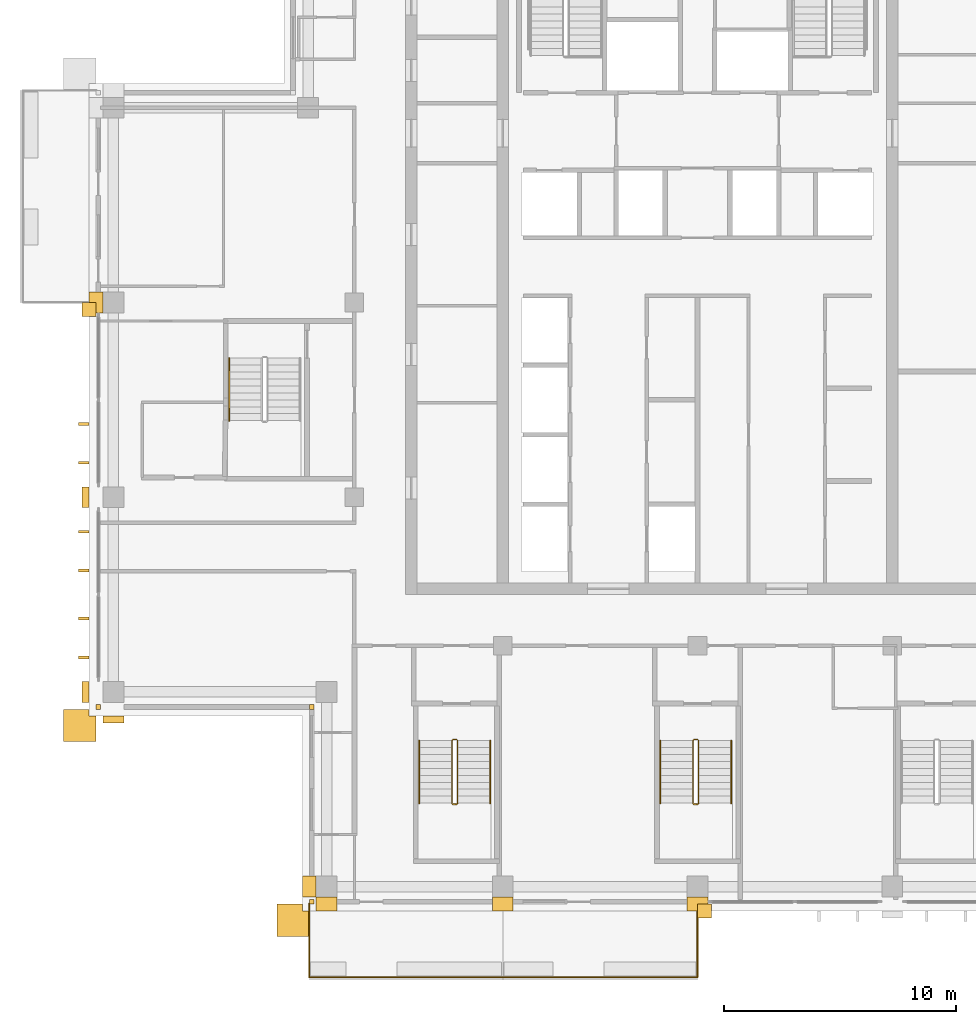
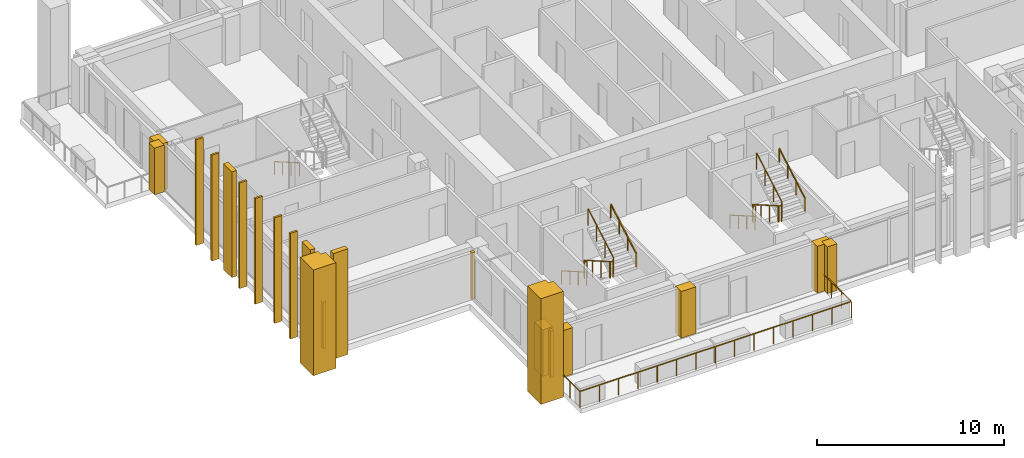
# One storey, part 13 of 16: 21 coverings, 9 railings.
"""IFC4 building model written with IfcOpenShell, lengths in metres."""

from ifc_helpers import new_model, si_unit, direction, frame, origin, origin_2d, place, context, subcontext, project, spatial, polyline, rectangle, outline, extrude, material, layer, layer_set, type_object, element, save


model = new_model("IFC4")

# Units and contexts
model_context = context("Model", 3, precision=1e-05, world=origin(), true_north=direction((0.0, 1.0)))
body_context = subcontext(model_context, "Body", "Model", "MODEL_VIEW")
ifc_project = project(units=[si_unit("LENGTHUNIT", "METRE"), si_unit("AREAUNIT", "SQUARE_METRE"), si_unit("VOLUMEUNIT", "CUBIC_METRE"), si_unit("PLANEANGLEUNIT", "RADIAN"), si_unit("MASSUNIT", "GRAM", prefix="KILO")], contexts=[model_context])

# Site, building, storey
site_placement = place(None, origin())
site = spatial("IfcSite", under=ifc_project, at=site_placement, CompositionType="ELEMENT")
building_placement = place(site_placement, origin())
building = spatial("IfcBuilding", under=site, at=building_placement, Name="Vermilion Ogive Tower", CompositionType="ELEMENT")
storey_placement = place(building_placement, frame((0.0, 0.0, 233.800048828125)))
storey = spatial("IfcBuildingStorey", under=building, at=storey_placement, Name="L61", CompositionType="ELEMENT", Elevation=233.800048828125)

# Railings
ifc_material_1 = material(Name="Stainless steel and glass", Category="steel")
railing_type_1 = type_object("IfcRailingType", Name="Balcony guard", PredefinedType="GUARDRAIL", material=ifc_material_1)
railing_1_placement = place(storey_placement, frame((-16.75, -21.75, -0.0400390625)))
element("IfcRailing", 1, at=railing_1_placement, inside=storey, type_object=railing_type_1, Name="Guard S01", PredefinedType="GUARDRAIL", context=body_context, shape_type="SweptSolid", body=[
    extrude(rectangle(XDim=0.048095703125, YDim=0.048095703125, at=origin_2d()), frame((0.0, 0.0, 1.076171875), z_axis=(0.0, -1.0, 0.0), x_axis=(1.0, 0.0, 0.0)), (0.0, 0.0, 1.0), 3.159912109375),
    extrude(rectangle(XDim=0.048095703125, YDim=0.048095703125, at=origin_2d()), frame((0.0, -3.159912109375, 1.076171875), z_axis=(1.0, 0.0, 0.0), x_axis=(0.0, 1.0, 0.0)), (0.0, 0.0, 1.0), 8.35009765625),
    extrude(rectangle(XDim=0.0419921875, YDim=0.0419921875, at=origin_2d()), origin(), (0.0, 0.0, 1.0), 1.052001953125),
    extrude(rectangle(XDim=0.0419921875, YDim=0.0419921875, at=origin_2d()), frame((0.0, -1.05322265625, 0.0)), (0.0, 0.0, 1.0), 1.052001953125),
    extrude(rectangle(XDim=0.0419921875, YDim=0.0419921875, at=origin_2d()), frame((0.0, -2.106689453125, 0.0)), (0.0, 0.0, 1.0), 1.052001953125),
    extrude(rectangle(XDim=0.0419921875, YDim=0.0419921875, at=origin_2d()), frame((0.0, -3.159912109375, 0.0)), (0.0, 0.0, 1.0), 1.052001953125),
    extrude(rectangle(XDim=0.0419921875, YDim=0.0419921875, at=origin_2d()), frame((1.19287109375, -3.159912109375, 0.0)), (0.0, 0.0, 1.0), 1.052001953125),
    extrude(rectangle(XDim=0.0419921875, YDim=0.0419921875, at=origin_2d()), frame((2.3857421875, -3.159912109375, 0.0)), (0.0, 0.0, 1.0), 1.052001953125),
    extrude(rectangle(XDim=0.0419921875, YDim=0.0419921875, at=origin_2d()), frame((3.57861328125, -3.159912109375, 0.0)), (0.0, 0.0, 1.0), 1.052001953125),
    extrude(rectangle(XDim=0.0419921875, YDim=0.0419921875, at=origin_2d()), frame((4.771484375, -3.159912109375, 0.0)), (0.0, 0.0, 1.0), 1.052001953125),
    extrude(rectangle(XDim=0.0419921875, YDim=0.0419921875, at=origin_2d()), frame((5.96435546875, -3.159912109375, 0.0)), (0.0, 0.0, 1.0), 1.052001953125),
    extrude(rectangle(XDim=0.0419921875, YDim=0.0419921875, at=origin_2d()), frame((7.1572265625, -3.159912109375, 0.0)), (0.0, 0.0, 1.0), 1.052001953125),
    extrude(rectangle(XDim=0.0419921875, YDim=0.0419921875, at=origin_2d()), frame((8.35009765625, -3.159912109375, 0.0)), (0.0, 0.0, 1.0), 1.052001953125),
])
railing_2_placement = place(storey_placement, frame((-8.39990234375, -24.909912109375, -0.0400390625)))
element("IfcRailing", 2, at=railing_2_placement, inside=storey, type_object=railing_type_1, Name="Guard S02", PredefinedType="GUARDRAIL", context=body_context, shape_type="SweptSolid", body=[
    extrude(rectangle(XDim=0.048095703125, YDim=0.048095703125, at=origin_2d()), frame((0.0, 0.0, 1.076171875), z_axis=(1.0, 0.0, 0.0), x_axis=(0.0, 1.0, 0.0)), (0.0, 0.0, 1.0), 8.39990234375),
    extrude(rectangle(XDim=0.048095703125, YDim=0.048095703125, at=origin_2d()), frame((8.39990234375, 0.0, 1.076171875), z_axis=(0.0, 1.0, 0.0), x_axis=(-1.0, 0.0, 0.0)), (0.0, 0.0, 1.0), 3.159912109375),
    extrude(rectangle(XDim=0.0419921875, YDim=0.0419921875, at=origin_2d()), origin(), (0.0, 0.0, 1.0), 1.052001953125),
    extrude(rectangle(XDim=0.0419921875, YDim=0.0419921875, at=origin_2d()), frame((1.199951171875, 0.0, 0.0)), (0.0, 0.0, 1.0), 1.052001953125),
    extrude(rectangle(XDim=0.0419921875, YDim=0.0419921875, at=origin_2d()), frame((2.39990234375, 0.0, 0.0)), (0.0, 0.0, 1.0), 1.052001953125),
    extrude(rectangle(XDim=0.0419921875, YDim=0.0419921875, at=origin_2d()), frame((3.599853515625, 0.0, 0.0)), (0.0, 0.0, 1.0), 1.052001953125),
    extrude(rectangle(XDim=0.0419921875, YDim=0.0419921875, at=origin_2d()), frame((4.800048828125, 0.0, 0.0)), (0.0, 0.0, 1.0), 1.052001953125),
    extrude(rectangle(XDim=0.0419921875, YDim=0.0419921875, at=origin_2d()), frame((6.0, 0.0, 0.0)), (0.0, 0.0, 1.0), 1.052001953125),
    extrude(rectangle(XDim=0.0419921875, YDim=0.0419921875, at=origin_2d()), frame((7.199951171875, 0.0, 0.0)), (0.0, 0.0, 1.0), 1.052001953125),
    extrude(rectangle(XDim=0.0419921875, YDim=0.0419921875, at=origin_2d()), frame((8.39990234375, 0.0, 0.0)), (0.0, 0.0, 1.0), 1.052001953125),
    extrude(rectangle(XDim=0.0419921875, YDim=0.0419921875, at=origin_2d()), frame((8.39990234375, 1.05322265625, 0.0)), (0.0, 0.0, 1.0), 1.052001953125),
    extrude(rectangle(XDim=0.0419921875, YDim=0.0419921875, at=origin_2d()), frame((8.39990234375, 2.106689453125, 0.0)), (0.0, 0.0, 1.0), 1.052001953125),
    extrude(rectangle(XDim=0.0419921875, YDim=0.0419921875, at=origin_2d()), frame((8.39990234375, 3.159912109375, 0.0)), (0.0, 0.0, 1.0), 1.052001953125),
])

# Coverings
ifc_material_2 = material(Name="Glazed ceramic screen")
ifc_layer = layer(ifc_material_2, 0.14990234375)
ifc_layer_set = layer_set([ifc_layer], Name="Ceramic solar screen fin")
covering_type_1 = type_object("IfcCoveringType", Name="Ceramic solar screen fin", PredefinedType="CLADDING", material=ifc_layer_set)
covering_1_placement = place(storey_placement, frame((0.0, 0.0, -0.400146484375)))
element("IfcCovering", 3, at=covering_1_placement, inside=storey, type_object=covering_type_1, Name="Solar screen blade W991", PredefinedType="CLADDING", context=body_context, shape_type="SweptSolid", body=[
    extrude(outline(polyline([(-26.699951171875, -0.9775390625), (-26.699951171875, -1.097412109375), (-26.25, -1.097412109375), (-26.25, -0.9775390625), (-26.699951171875, -0.9775390625)])), origin(), (0.0, 0.0, 1.0), 6.900146484375),
])
covering_2_placement = place(storey_placement, frame((0.0, 0.0, -0.400146484375)))
element("IfcCovering", 4, at=covering_2_placement, inside=storey, type_object=covering_type_1, Name="Solar screen blade W992", PredefinedType="CLADDING", context=body_context, shape_type="SweptSolid", body=[
    extrude(outline(polyline([(-26.699951171875, -2.652587890625), (-26.699951171875, -2.7724609375), (-26.25, -2.7724609375), (-26.25, -2.652587890625), (-26.699951171875, -2.652587890625)])), origin(), (0.0, 0.0, 1.0), 6.900146484375),
])
covering_3_placement = place(storey_placement, frame((0.0, 0.0, -0.400146484375)))
element("IfcCovering", 5, at=covering_3_placement, inside=storey, type_object=covering_type_1, Name="Solar screen blade W971", PredefinedType="CLADDING", context=body_context, shape_type="SweptSolid", body=[
    extrude(outline(polyline([(-26.699951171875, -9.37744140625), (-26.699951171875, -9.49755859375), (-26.25, -9.49755859375), (-26.25, -9.37744140625), (-26.699951171875, -9.37744140625)])), origin(), (0.0, 0.0, 1.0), 6.900146484375),
])
covering_4_placement = place(storey_placement, frame((0.0, 0.0, -0.400146484375)))
element("IfcCovering", 6, at=covering_4_placement, inside=storey, type_object=covering_type_1, Name="Solar screen blade W972", PredefinedType="CLADDING", context=body_context, shape_type="SweptSolid", body=[
    extrude(outline(polyline([(-26.699951171875, -11.052490234375), (-26.699951171875, -11.172607421875), (-26.25, -11.172607421875), (-26.25, -11.052490234375), (-26.699951171875, -11.052490234375)])), origin(), (0.0, 0.0, 1.0), 6.900146484375),
])
covering_5_placement = place(storey_placement, frame((0.0, 0.0, -0.400146484375)))
element("IfcCovering", 7, at=covering_5_placement, inside=storey, type_object=covering_type_1, Name="Solar screen blade W981", PredefinedType="CLADDING", context=body_context, shape_type="SweptSolid", body=[
    extrude(outline(polyline([(-26.699951171875, -5.62744140625), (-26.699951171875, -5.74755859375), (-26.25, -5.74755859375), (-26.25, -5.62744140625), (-26.699951171875, -5.62744140625)])), origin(), (0.0, 0.0, 1.0), 6.900146484375),
])
covering_6_placement = place(storey_placement, frame((0.0, 0.0, -0.400146484375)))
element("IfcCovering", 8, at=covering_6_placement, inside=storey, type_object=covering_type_1, Name="Solar screen blade W982", PredefinedType="CLADDING", context=body_context, shape_type="SweptSolid", body=[
    extrude(outline(polyline([(-26.699951171875, -7.302490234375), (-26.699951171875, -7.422607421875), (-26.25, -7.422607421875), (-26.25, -7.302490234375), (-26.699951171875, -7.302490234375)])), origin(), (0.0, 0.0, 1.0), 6.900146484375),
])

# Railings
ifc_material_3 = material(Name="Steel S355 painted", Category="steel")
railing_type_2 = type_object("IfcRailingType", Name="Stair guard 1100", PredefinedType="GUARDRAIL", material=ifc_material_3)
railing_3_placement = place(storey_placement, frame((-10.39990234375, -14.64990234375, 0.0)))
element("IfcRailing", 9, at=railing_3_placement, inside=storey, type_object=railing_type_2, Name="L61 ST3 stair guard 4", PredefinedType="GUARDRAIL", context=body_context, shape_type="SweptSolid", body=[
    extrude(rectangle(XDim=0.048095703125, YDim=0.048095703125, at=origin_2d()), frame((0.0, 0.0, 1.076171875), z_axis=(-1.0, 0.0, 0.0), x_axis=(0.0, -1.0, 0.0)), (0.0, 0.0, 1.0), 0.150146484375),
    extrude(rectangle(XDim=0.048095703125, YDim=0.048095703125, at=origin_2d()), frame((-0.150146484375, 0.0, 1.076171875), z_axis=(-0.268603158521, -0.268603158521, 0.925043072762), x_axis=(0.707106781187, -0.707106781187, 0.0)), (0.0, 0.0, 1.0), 0.186279296875),
    extrude(rectangle(XDim=0.048095703125, YDim=0.048095703125, at=origin_2d()), frame((-0.2001953125, -0.050048828125, 1.24853515625), z_axis=(0.0, -0.866903762492, 0.498475542607), x_axis=(1.0, 0.0, 0.0)), (0.0, 0.0, 1.0), 3.114501953125),
    extrude(rectangle(XDim=0.048095703125, YDim=0.048095703125, at=origin_2d()), frame((-0.2001953125, -2.75, 2.80078125), z_axis=(0.707106781187, -0.707106781187, 0.0), x_axis=(0.707106781187, 0.707106781187, 0.0)), (0.0, 0.0, 1.0), 0.07080078125),
    extrude(rectangle(XDim=0.048095703125, YDim=0.048095703125, at=origin_2d()), frame((-0.150146484375, -2.800048828125, 2.80078125), z_axis=(1.0, 0.0, 0.0), x_axis=(0.0, 1.0, 0.0)), (0.0, 0.0, 1.0), 0.150146484375),
    extrude(rectangle(XDim=0.048095703125, YDim=0.048095703125, at=origin_2d()), frame((0.0, -2.800048828125, 2.80078125), z_axis=(0.267062837333, 0.268371968888, 0.925556009775), x_axis=(-0.708833529934, 0.705375805398, 0.0)), (0.0, 0.0, 1.0), 0.1865234375),
    extrude(rectangle(XDim=0.048095703125, YDim=0.048095703125, at=origin_2d()), frame((0.0498046875, -2.75, 2.9736328125), z_axis=(0.0, 0.866903762492, 0.498475542607), x_axis=(-1.0, 0.0, 0.0)), (0.0, 0.0, 1.0), 3.114501953125),
    extrude(rectangle(XDim=0.0419921875, YDim=0.0419921875, at=origin_2d()), origin(), (0.0, 0.0, 1.0), 1.052001953125),
    extrude(rectangle(XDim=0.0419921875, YDim=0.0419921875, at=origin_2d()), frame((-0.150146484375, 0.0, 0.0)), (0.0, 0.0, 1.0), 1.052001953125),
    extrude(rectangle(XDim=0.0419921875, YDim=0.0419921875, at=origin_2d()), frame((-0.2001953125, -0.050048828125, 0.17236328125)), (0.0, 0.0, 1.0), 1.052001953125),
    extrude(rectangle(XDim=0.0419921875, YDim=0.0419921875, at=origin_2d()), frame((-0.2001953125, -0.949951171875, 0.68994140625)), (0.0, 0.0, 1.0), 1.052001953125),
    extrude(rectangle(XDim=0.0419921875, YDim=0.0419921875, at=origin_2d()), frame((-0.2001953125, -1.85009765625, 1.207275390625)), (0.0, 0.0, 1.0), 1.052001953125),
    extrude(rectangle(XDim=0.0419921875, YDim=0.0419921875, at=origin_2d()), frame((-0.2001953125, -2.75, 1.724853515625)), (0.0, 0.0, 1.0), 1.052001953125),
    extrude(rectangle(XDim=0.0419921875, YDim=0.0419921875, at=origin_2d()), frame((-0.150146484375, -2.800048828125, 1.724853515625)), (0.0, 0.0, 1.0), 1.052001953125),
    extrude(rectangle(XDim=0.0419921875, YDim=0.0419921875, at=origin_2d()), frame((0.0, -2.800048828125, 1.724853515625)), (0.0, 0.0, 1.0), 1.052001953125),
    extrude(rectangle(XDim=0.0419921875, YDim=0.0419921875, at=origin_2d()), frame((0.0498046875, -2.75, 1.8974609375)), (0.0, 0.0, 1.0), 1.052001953125),
    extrude(rectangle(XDim=0.0419921875, YDim=0.0419921875, at=origin_2d()), frame((0.0498046875, -1.85009765625, 2.4150390625)), (0.0, 0.0, 1.0), 1.052001953125),
    extrude(rectangle(XDim=0.0419921875, YDim=0.0419921875, at=origin_2d()), frame((0.0498046875, -0.949951171875, 2.932373046875)), (0.0, 0.0, 1.0), 1.052001953125),
    extrude(rectangle(XDim=0.0419921875, YDim=0.0419921875, at=origin_2d()), frame((0.0498046875, -0.050048828125, 3.449951171875)), (0.0, 0.0, 1.0), 1.052001953125),
])
railing_4_placement = place(storey_placement, frame((0.0, -14.64990234375, 0.0)))
element("IfcRailing", 10, at=railing_4_placement, inside=storey, type_object=railing_type_2, Name="L61 ST4 stair guard 4", PredefinedType="GUARDRAIL", context=body_context, shape_type="SweptSolid", body=[
    extrude(rectangle(XDim=0.048095703125, YDim=0.048095703125, at=origin_2d()), frame((0.0, 0.0, 1.076171875), z_axis=(-1.0, 0.0, 0.0), x_axis=(0.0, -1.0, 0.0)), (0.0, 0.0, 1.0), 0.14990234375),
    extrude(rectangle(XDim=0.048095703125, YDim=0.048095703125, at=origin_2d()), frame((-0.14990234375, 0.0, 1.076171875), z_axis=(-0.268603158521, -0.268603158521, 0.925043072762), x_axis=(0.707106781187, -0.707106781187, 0.0)), (0.0, 0.0, 1.0), 0.186279296875),
    extrude(rectangle(XDim=0.048095703125, YDim=0.048095703125, at=origin_2d()), frame((-0.199951171875, -0.050048828125, 1.24853515625), z_axis=(0.0, -0.866903762492, 0.498475542607), x_axis=(1.0, 0.0, 0.0)), (0.0, 0.0, 1.0), 3.114501953125),
    extrude(rectangle(XDim=0.048095703125, YDim=0.048095703125, at=origin_2d()), frame((-0.199951171875, -2.75, 2.80078125), z_axis=(0.707106781187, -0.707106781187, 0.0), x_axis=(0.707106781187, 0.707106781187, 0.0)), (0.0, 0.0, 1.0), 0.07080078125),
    extrude(rectangle(XDim=0.048095703125, YDim=0.048095703125, at=origin_2d()), frame((-0.14990234375, -2.800048828125, 2.80078125), z_axis=(1.0, 0.0, 0.0), x_axis=(0.0, 1.0, 0.0)), (0.0, 0.0, 1.0), 0.14990234375),
    extrude(rectangle(XDim=0.048095703125, YDim=0.048095703125, at=origin_2d()), frame((0.0, -2.800048828125, 2.80078125), z_axis=(0.268277960024, 0.268277960024, 0.925231793839), x_axis=(-0.707106781187, 0.707106781187, 0.0)), (0.0, 0.0, 1.0), 0.1865234375),
    extrude(rectangle(XDim=0.048095703125, YDim=0.048095703125, at=origin_2d()), frame((0.050048828125, -2.75, 2.9736328125), z_axis=(0.0, 0.866903762492, 0.498475542607), x_axis=(-1.0, 0.0, 0.0)), (0.0, 0.0, 1.0), 3.114501953125),
    extrude(rectangle(XDim=0.0419921875, YDim=0.0419921875, at=origin_2d()), origin(), (0.0, 0.0, 1.0), 1.052001953125),
    extrude(rectangle(XDim=0.0419921875, YDim=0.0419921875, at=origin_2d()), frame((-0.14990234375, 0.0, 0.0)), (0.0, 0.0, 1.0), 1.052001953125),
    extrude(rectangle(XDim=0.0419921875, YDim=0.0419921875, at=origin_2d()), frame((-0.199951171875, -0.050048828125, 0.17236328125)), (0.0, 0.0, 1.0), 1.052001953125),
    extrude(rectangle(XDim=0.0419921875, YDim=0.0419921875, at=origin_2d()), frame((-0.199951171875, -0.949951171875, 0.68994140625)), (0.0, 0.0, 1.0), 1.052001953125),
    extrude(rectangle(XDim=0.0419921875, YDim=0.0419921875, at=origin_2d()), frame((-0.199951171875, -1.85009765625, 1.207275390625)), (0.0, 0.0, 1.0), 1.052001953125),
    extrude(rectangle(XDim=0.0419921875, YDim=0.0419921875, at=origin_2d()), frame((-0.199951171875, -2.75, 1.724853515625)), (0.0, 0.0, 1.0), 1.052001953125),
    extrude(rectangle(XDim=0.0419921875, YDim=0.0419921875, at=origin_2d()), frame((-0.14990234375, -2.800048828125, 1.724853515625)), (0.0, 0.0, 1.0), 1.052001953125),
    extrude(rectangle(XDim=0.0419921875, YDim=0.0419921875, at=origin_2d()), frame((0.0, -2.800048828125, 1.724853515625)), (0.0, 0.0, 1.0), 1.052001953125),
    extrude(rectangle(XDim=0.0419921875, YDim=0.0419921875, at=origin_2d()), frame((0.050048828125, -2.75, 1.8974609375)), (0.0, 0.0, 1.0), 1.052001953125),
    extrude(rectangle(XDim=0.0419921875, YDim=0.0419921875, at=origin_2d()), frame((0.050048828125, -1.85009765625, 2.4150390625)), (0.0, 0.0, 1.0), 1.052001953125),
    extrude(rectangle(XDim=0.0419921875, YDim=0.0419921875, at=origin_2d()), frame((0.050048828125, -0.949951171875, 2.932373046875)), (0.0, 0.0, 1.0), 1.052001953125),
    extrude(rectangle(XDim=0.0419921875, YDim=0.0419921875, at=origin_2d()), frame((0.050048828125, -0.050048828125, 3.449951171875)), (0.0, 0.0, 1.0), 1.052001953125),
])
ifc_material_4 = material(Name="Stainless steel", Category="steel")
railing_type_3 = type_object("IfcRailingType", Name="Stair handrail 900", PredefinedType="HANDRAIL", material=ifc_material_4)
railing_5_placement = place(storey_placement, frame((-12.0, -14.699951171875, 0.17236328125)))
element("IfcRailing", 11, at=railing_5_placement, inside=storey, type_object=railing_type_3, Name="L61 ST3 stair handrail 1", PredefinedType="HANDRAIL", context=body_context, shape_type="SweptSolid", body=[
    extrude(rectangle(XDim=0.048095703125, YDim=0.048095703125, at=origin_2d()), frame((0.0, 0.0, 0.8759765625), z_axis=(0.0, -0.866903762492, 0.498475542607), x_axis=(1.0, 0.0, 0.0)), (0.0, 0.0, 1.0), 3.114501953125),
    extrude(rectangle(XDim=0.0419921875, YDim=0.0419921875, at=origin_2d()), origin(), (0.0, 0.0, 1.0), 0.851806640625),
    extrude(rectangle(XDim=0.0419921875, YDim=0.0419921875, at=origin_2d()), frame((0.0, -0.89990234375, 0.517578125)), (0.0, 0.0, 1.0), 0.851806640625),
    extrude(rectangle(XDim=0.0419921875, YDim=0.0419921875, at=origin_2d()), frame((0.0, -1.800048828125, 1.034912109375)), (0.0, 0.0, 1.0), 0.851806640625),
    extrude(rectangle(XDim=0.0419921875, YDim=0.0419921875, at=origin_2d()), frame((0.0, -2.699951171875, 1.552490234375)), (0.0, 0.0, 1.0), 0.851806640625),
])
railing_6_placement = place(storey_placement, frame((-8.949951171875, -17.39990234375, 1.8974609375)))
element("IfcRailing", 12, at=railing_6_placement, inside=storey, type_object=railing_type_3, Name="L61 ST3 stair handrail 2", PredefinedType="HANDRAIL", context=body_context, shape_type="SweptSolid", body=[
    extrude(rectangle(XDim=0.048095703125, YDim=0.048095703125, at=origin_2d()), frame((0.0, 0.0, 0.8759765625), z_axis=(0.0, 0.866903762492, 0.498475542607), x_axis=(-1.0, 0.0, 0.0)), (0.0, 0.0, 1.0), 3.114501953125),
    extrude(rectangle(XDim=0.0419921875, YDim=0.0419921875, at=origin_2d()), origin(), (0.0, 0.0, 1.0), 0.851806640625),
    extrude(rectangle(XDim=0.0419921875, YDim=0.0419921875, at=origin_2d()), frame((0.0, 0.89990234375, 0.517578125)), (0.0, 0.0, 1.0), 0.851806640625),
    extrude(rectangle(XDim=0.0419921875, YDim=0.0419921875, at=origin_2d()), frame((0.0, 1.800048828125, 1.034912109375)), (0.0, 0.0, 1.0), 0.851806640625),
    extrude(rectangle(XDim=0.0419921875, YDim=0.0419921875, at=origin_2d()), frame((0.0, 2.699951171875, 1.552490234375)), (0.0, 0.0, 1.0), 0.851806640625),
])
railing_7_placement = place(storey_placement, frame((-1.60009765625, -14.699951171875, 0.17236328125)))
element("IfcRailing", 13, at=railing_7_placement, inside=storey, type_object=railing_type_3, Name="L61 ST4 stair handrail 1", PredefinedType="HANDRAIL", context=body_context, shape_type="SweptSolid", body=[
    extrude(rectangle(XDim=0.048095703125, YDim=0.048095703125, at=origin_2d()), frame((0.0, 0.0, 0.8759765625), z_axis=(0.0, -0.866903762492, 0.498475542607), x_axis=(1.0, 0.0, 0.0)), (0.0, 0.0, 1.0), 3.114501953125),
    extrude(rectangle(XDim=0.0419921875, YDim=0.0419921875, at=origin_2d()), origin(), (0.0, 0.0, 1.0), 0.851806640625),
    extrude(rectangle(XDim=0.0419921875, YDim=0.0419921875, at=origin_2d()), frame((0.0, -0.89990234375, 0.517578125)), (0.0, 0.0, 1.0), 0.851806640625),
    extrude(rectangle(XDim=0.0419921875, YDim=0.0419921875, at=origin_2d()), frame((0.0, -1.800048828125, 1.034912109375)), (0.0, 0.0, 1.0), 0.851806640625),
    extrude(rectangle(XDim=0.0419921875, YDim=0.0419921875, at=origin_2d()), frame((0.0, -2.699951171875, 1.552490234375)), (0.0, 0.0, 1.0), 0.851806640625),
])
railing_8_placement = place(storey_placement, frame((1.449951171875, -17.39990234375, 1.8974609375)))
element("IfcRailing", 14, at=railing_8_placement, inside=storey, type_object=railing_type_3, Name="L61 ST4 stair handrail 2", PredefinedType="HANDRAIL", context=body_context, shape_type="SweptSolid", body=[
    extrude(rectangle(XDim=0.048095703125, YDim=0.048095703125, at=origin_2d()), frame((0.0, 0.0, 0.8759765625), z_axis=(0.0, 0.866903762492, 0.498475542607), x_axis=(-1.0, 0.0, 0.0)), (0.0, 0.0, 1.0), 3.114501953125),
    extrude(rectangle(XDim=0.0419921875, YDim=0.0419921875, at=origin_2d()), origin(), (0.0, 0.0, 1.0), 0.851806640625),
    extrude(rectangle(XDim=0.0419921875, YDim=0.0419921875, at=origin_2d()), frame((0.0, 0.89990234375, 0.517578125)), (0.0, 0.0, 1.0), 0.851806640625),
    extrude(rectangle(XDim=0.0419921875, YDim=0.0419921875, at=origin_2d()), frame((0.0, 1.800048828125, 1.034912109375)), (0.0, 0.0, 1.0), 0.851806640625),
    extrude(rectangle(XDim=0.0419921875, YDim=0.0419921875, at=origin_2d()), frame((0.0, 2.699951171875, 1.552490234375)), (0.0, 0.0, 1.0), 0.851806640625),
])
railing_9_placement = place(storey_placement, frame((-20.199951171875, 1.800048828125, 0.17236328125)))
element("IfcRailing", 15, at=railing_9_placement, inside=storey, type_object=railing_type_3, Name="L61 ST9 stair handrail 1", PredefinedType="HANDRAIL", context=body_context, shape_type="SweptSolid", body=[
    extrude(rectangle(XDim=0.048095703125, YDim=0.048095703125, at=origin_2d()), frame((0.0, 0.0, 0.8759765625), z_axis=(0.0, -0.866903762492, 0.498475542607), x_axis=(1.0, 0.0, 0.0)), (0.0, 0.0, 1.0), 3.114501953125),
    extrude(rectangle(XDim=0.0419921875, YDim=0.0419921875, at=origin_2d()), origin(), (0.0, 0.0, 1.0), 0.851806640625),
    extrude(rectangle(XDim=0.0419921875, YDim=0.0419921875, at=origin_2d()), frame((0.0, -0.89990234375, 0.517578125)), (0.0, 0.0, 1.0), 0.851806640625),
    extrude(rectangle(XDim=0.0419921875, YDim=0.0419921875, at=origin_2d()), frame((0.0, -1.800048828125, 1.034912109375)), (0.0, 0.0, 1.0), 0.851806640625),
    extrude(rectangle(XDim=0.0419921875, YDim=0.0419921875, at=origin_2d()), frame((0.0, -2.699951171875, 1.552490234375)), (0.0, 0.0, 1.0), 0.851806640625),
])

# Coverings
ifc_material_5 = material(Name="Stone cladding", Category="masonry")
covering_type_2 = type_object("IfcCoveringType", Name="Stone corner buttress", PredefinedType="CLADDING", material=ifc_material_5)
covering_7_placement = place(storey_placement, origin())
element("IfcCovering", 16, at=covering_7_placement, inside=storey, type_object=covering_type_2, Name="Stone crease pier SK", PredefinedType="CLADDING", context=body_context, shape_type="SweptSolid", body=[
    extrude(outline(polyline([(0.0, -22.35009765625), (0.60009765625, -22.35009765625), (0.60009765625, -21.75), (0.0, -21.75), (0.0, -22.35009765625)])), origin(), (0.0, 0.0, 1.0), 3.050048828125),
])
covering_8_placement = place(storey_placement, origin())
element("IfcCovering", 17, at=covering_8_placement, inside=storey, type_object=covering_type_2, Name="Stone crease pier WK", PredefinedType="CLADDING", context=body_context, shape_type="SweptSolid", body=[
    extrude(outline(polyline([(-26.550048828125, 4.199951171875), (-26.550048828125, 3.60009765625), (-25.949951171875, 3.60009765625), (-25.949951171875, 4.199951171875), (-26.550048828125, 4.199951171875)])), origin(), (0.0, 0.0, 1.0), 3.050048828125),
])
covering_9_placement = place(storey_placement, frame((0.0, 0.0, -0.400146484375)))
element("IfcCovering", 18, at=covering_9_placement, inside=storey, type_object=covering_type_2, Name="Stone corner buttress S1", PredefinedType="CLADDING", context=body_context, shape_type="SweptSolid", body=[
    extrude(outline(polyline([(-17.050048828125, -22.050048828125), (-16.75, -22.050048828125), (-16.75, -23.14990234375), (-18.14990234375, -23.14990234375), (-18.14990234375, -21.75), (-17.050048828125, -21.75), (-17.050048828125, -22.050048828125)])), origin(), (0.0, 0.0, 1.0), 6.900146484375),
])
covering_10_placement = place(storey_placement, frame((0.0, 0.0, -0.400146484375)))
element("IfcCovering", 19, at=covering_10_placement, inside=storey, type_object=covering_type_2, Name="Stone corner buttress X71", PredefinedType="CLADDING", context=body_context, shape_type="SweptSolid", body=[
    extrude(outline(polyline([(-26.25, -13.35009765625), (-26.25, -13.64990234375), (-25.949951171875, -13.64990234375), (-25.949951171875, -14.75), (-27.35009765625, -14.75), (-27.35009765625, -13.35009765625), (-26.25, -13.35009765625)])), origin(), (0.0, 0.0, 1.0), 6.900146484375),
])
ifc_material_6 = material(Name="Stone cladding", Category="masonry")
covering_type_3 = type_object("IfcCoveringType", Name="Stone pier", PredefinedType="CLADDING", material=ifc_material_6)
covering_11_placement = place(storey_placement, origin())
element("IfcCovering", 20, at=covering_11_placement, inside=storey, type_object=covering_type_3, Name="Stone corner pier WE1", PredefinedType="CLADDING", context=body_context, shape_type="SweptSolid", body=[
    extrude(outline(polyline([(-25.75, -13.14990234375), (-25.75, -13.35009765625), (-25.949951171875, -13.35009765625), (-25.949951171875, -13.14990234375), (-25.75, -13.14990234375)])), origin(), (0.0, 0.0, 1.0), 3.050048828125),
])
covering_12_placement = place(storey_placement, origin())
element("IfcCovering", 21, at=covering_12_placement, inside=storey, type_object=covering_type_3, Name="Stone corner pier X7E1", PredefinedType="CLADDING", context=body_context, shape_type="SweptSolid", body=[
    extrude(outline(polyline([(-16.550048828125, -13.14990234375), (-16.550048828125, -13.35009765625), (-16.75, -13.35009765625), (-16.75, -13.14990234375), (-16.550048828125, -13.14990234375)])), origin(), (0.0, 0.0, 1.0), 3.050048828125),
])
covering_13_placement = place(storey_placement, origin())
element("IfcCovering", 22, at=covering_13_placement, inside=storey, type_object=covering_type_3, Name="Stone corner pier X8E1", PredefinedType="CLADDING", context=body_context, shape_type="SweptSolid", body=[
    extrude(outline(polyline([(-16.550048828125, -21.550048828125), (-16.550048828125, -21.75), (-16.75, -21.75), (-16.75, -21.550048828125), (-16.550048828125, -21.550048828125)])), origin(), (0.0, 0.0, 1.0), 3.050048828125),
])
covering_14_placement = place(storey_placement, frame((0.0, 0.0, -0.400146484375)))
element("IfcCovering", 23, at=covering_14_placement, inside=storey, type_object=covering_type_3, Name="Stone pier P-0252-042", PredefinedType="CLADDING", context=body_context, shape_type="SweptSolid", body=[
    extrude(outline(polyline([(-26.550048828125, -4.64990234375), (-26.550048828125, -3.75), (-26.25, -3.75), (-26.25, -4.64990234375), (-26.550048828125, -4.64990234375)])), origin(), (0.0, 0.0, 1.0), 6.900146484375),
])
covering_15_placement = place(storey_placement, frame((0.0, 0.0, -0.400146484375)))
element("IfcCovering", 24, at=covering_15_placement, inside=storey, type_object=covering_type_3, Name="Stone pier P-0252-126W", PredefinedType="CLADDING", context=body_context, shape_type="SweptSolid", body=[
    extrude(outline(polyline([(-26.550048828125, -13.050048828125), (-26.550048828125, -12.14990234375), (-26.25, -12.14990234375), (-26.25, -13.050048828125), (-26.550048828125, -13.050048828125)])), origin(), (0.0, 0.0, 1.0), 6.900146484375),
])
covering_16_placement = place(storey_placement, frame((0.0, 0.0, -0.400146484375)))
element("IfcCovering", 25, at=covering_16_placement, inside=storey, type_object=covering_type_3, Name="Stone pier P-0252-126X7", PredefinedType="CLADDING", context=body_context, shape_type="SweptSolid", body=[
    extrude(outline(polyline([(-25.64990234375, -13.949951171875), (-25.64990234375, -13.64990234375), (-24.75, -13.64990234375), (-24.75, -13.949951171875), (-25.64990234375, -13.949951171875)])), origin(), (0.0, 0.0, 1.0), 6.900146484375),
])
covering_17_placement = place(storey_placement, origin())
element("IfcCovering", 26, at=covering_17_placement, inside=storey, type_object=covering_type_3, Name="Stone pier P+0000-210", PredefinedType="CLADDING", context=body_context, shape_type="SweptSolid", body=[
    extrude(outline(polyline([(0.449951171875, -21.75), (0.0, -21.75), (0.0, -22.050048828125), (-0.449951171875, -22.050048828125), (-0.449951171875, -21.449951171875), (0.449951171875, -21.449951171875), (0.449951171875, -21.75)])), origin(), (0.0, 0.0, 1.0), 3.050048828125),
])
covering_18_placement = place(storey_placement, origin())
element("IfcCovering", 27, at=covering_18_placement, inside=storey, type_object=covering_type_3, Name="Stone pier P-0084-210", PredefinedType="CLADDING", context=body_context, shape_type="SweptSolid", body=[
    extrude(outline(polyline([(-7.949951171875, -21.449951171875), (-7.949951171875, -22.050048828125), (-8.85009765625, -22.050048828125), (-8.85009765625, -21.449951171875), (-8.85009765625, -21.449951171875), (-7.949951171875, -21.449951171875)])), origin(), (0.0, 0.0, 1.0), 3.050048828125),
])
covering_19_placement = place(storey_placement, origin())
element("IfcCovering", 28, at=covering_19_placement, inside=storey, type_object=covering_type_3, Name="Stone pier P-0160-210S", PredefinedType="CLADDING", context=body_context, shape_type="SweptSolid", body=[
    extrude(outline(polyline([(-15.550048828125, -22.050048828125), (-16.449951171875, -22.050048828125), (-16.449951171875, -21.449951171875), (-15.550048828125, -21.449951171875), (-15.550048828125, -22.050048828125)])), origin(), (0.0, 0.0, 1.0), 3.050048828125),
])
covering_20_placement = place(storey_placement, origin())
element("IfcCovering", 29, at=covering_20_placement, inside=storey, type_object=covering_type_3, Name="Stone pier P-0160-210X8", PredefinedType="CLADDING", context=body_context, shape_type="SweptSolid", body=[
    extrude(outline(polyline([(-17.050048828125, -20.550048828125), (-16.449951171875, -20.550048828125), (-16.449951171875, -21.449951171875), (-17.050048828125, -21.449951171875), (-17.050048828125, -20.550048828125)])), origin(), (0.0, 0.0, 1.0), 3.050048828125),
])
covering_21_placement = place(storey_placement, origin())
element("IfcCovering", 30, at=covering_21_placement, inside=storey, type_object=covering_type_3, Name="Stone pier P-0252+042", PredefinedType="CLADDING", context=body_context, shape_type="SweptSolid", body=[
    extrude(outline(polyline([(-25.949951171875, 3.75), (-25.949951171875, 4.199951171875), (-26.25, 4.199951171875), (-26.25, 4.64990234375), (-25.64990234375, 4.64990234375), (-25.64990234375, 3.75), (-25.949951171875, 3.75)])), origin(), (0.0, 0.0, 1.0), 3.050048828125),
])

save(model, "model.ifc")
